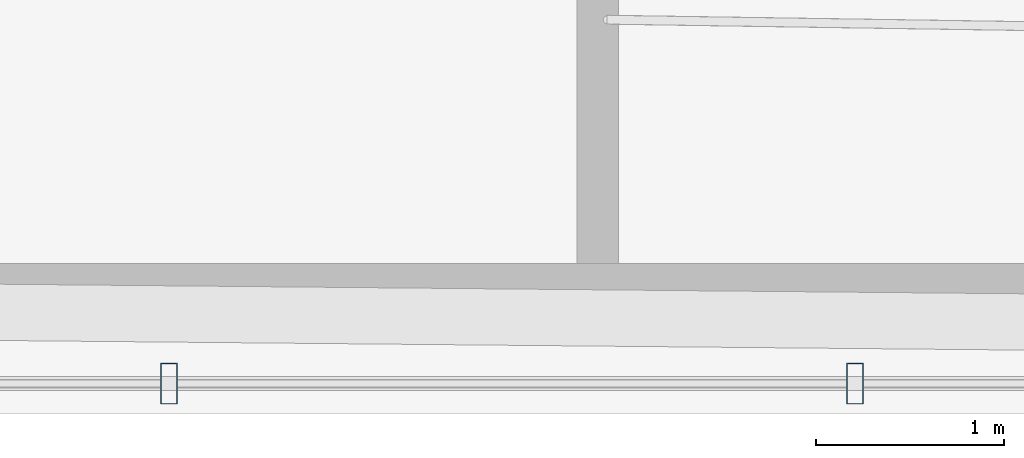
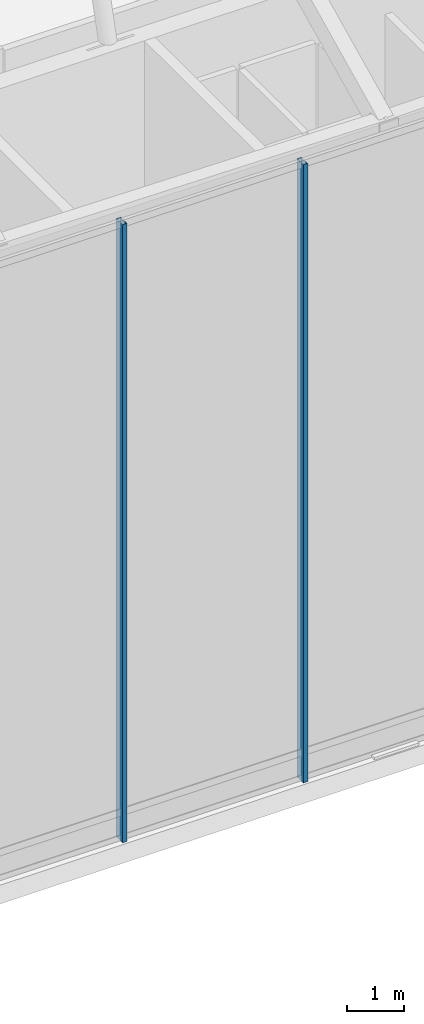
# One storey, part 11 of 36: 2 members, 1 element without a shape of its own.
"""IFC4 building model written with IfcOpenShell, lengths in metres."""

from ifc_helpers import new_model, si_unit, direction, frame, origin, origin_2d, place, context, subcontext, project, spatial, hollow_rectangle, extrude, material, layer, layer_set, material_profile, profile_set, type_object, element, aggregate, save


model = new_model("IFC4")

# Units and contexts
model_context = context("Model", 3, precision=1e-05, world=origin(), true_north=direction((0.0, 1.0)))
body_context = subcontext(model_context, "Body", "Model", "MODEL_VIEW")
ifc_project = project(units=[si_unit("LENGTHUNIT", "METRE"), si_unit("AREAUNIT", "SQUARE_METRE"), si_unit("VOLUMEUNIT", "CUBIC_METRE"), si_unit("PLANEANGLEUNIT", "RADIAN"), si_unit("MASSUNIT", "GRAM", prefix="KILO")], contexts=[model_context])

# Site, building, storey
site_placement = place(None, origin())
site = spatial("IfcSite", under=ifc_project, at=site_placement, CompositionType="ELEMENT")
building_placement = place(site_placement, origin())
building = spatial("IfcBuilding", under=site, at=building_placement, Name="Ndaravel Arena Tower", CompositionType="ELEMENT")
storey_placement = place(building_placement, frame((0.0, 0.0, 308.10009765625)))
storey = spatial("IfcBuildingStorey", under=building, at=storey_placement, Name="Roof Crown", CompositionType="ELEMENT", Elevation=308.10009765625)

# Curtain wall, members
ifc_material_1 = material(Name="Aluminium", Category="aluminium")
ifc_layer = layer(ifc_material_1, 0.179931640625)
ifc_layer_set = layer_set([ifc_layer], Name="Aluminium")
curtain_wall_type = type_object("IfcCurtainWallType", Name="CW-SYS-06", PredefinedType="NOTDEFINED", material=ifc_layer_set)
curtain_wall_placement = place(storey_placement, origin())
curtain_wall = element("IfcCurtainWall", 1, at=curtain_wall_placement, inside=storey, type_object=curtain_wall_type, Name="Roof Crown Sloped Crown Lantern Curtain Wall CW-CROWN-E01", PredefinedType="NOTDEFINED")
ifc_material_2 = material(Name="Aluminium", Category="aluminium")
ifc_material_profile = material_profile(ifc_material_2, hollow_rectangle(XDim=0.090087890625, YDim=0.219970703125, WallThickness=0.0048828125, at=origin_2d()), Name="CW MULLION 90x220x5")
ifc_profile_set = profile_set([ifc_material_profile], Name="Aluminium")
member_type = type_object("IfcMemberType", Name="MEM-CW-MUL220", PredefinedType="MULLION", material=ifc_profile_set)
member_1_placement = place(storey_placement, frame((36.51416015625, 5.159912109375, 0.0), z_axis=(0.0, 0.0, 1.0), x_axis=(1.0, 0.0, 0.0)))
member_1 = element("IfcMember", 2, at=member_1_placement, type_object=member_type, Name="CW-CROWN-E01 Mullion 04", PredefinedType="MULLION", context=body_context, shape_type="SweptSolid", body=[
    extrude(hollow_rectangle(XDim=0.090087890625, YDim=0.219970703125, WallThickness=0.0048828125, at=origin_2d()), origin(), (0.0, 0.0, 1.0), 13.2080078125),
])
member_2_placement = place(storey_placement, frame((40.17138671875, 5.159912109375, 0.0), z_axis=(0.0, 0.0, 1.0), x_axis=(1.0, 0.0, 0.0)))
member_2 = element("IfcMember", 3, at=member_2_placement, type_object=member_type, Name="CW-CROWN-E01 Mullion 05", PredefinedType="MULLION", context=body_context, shape_type="SweptSolid", body=[
    extrude(hollow_rectangle(XDim=0.090087890625, YDim=0.219970703125, WallThickness=0.0048828125, at=origin_2d()), origin(), (0.0, 0.0, 1.0), 13.2080078125),
])
aggregate(curtain_wall, [member_1, member_2])

save(model, "model.ifc")
